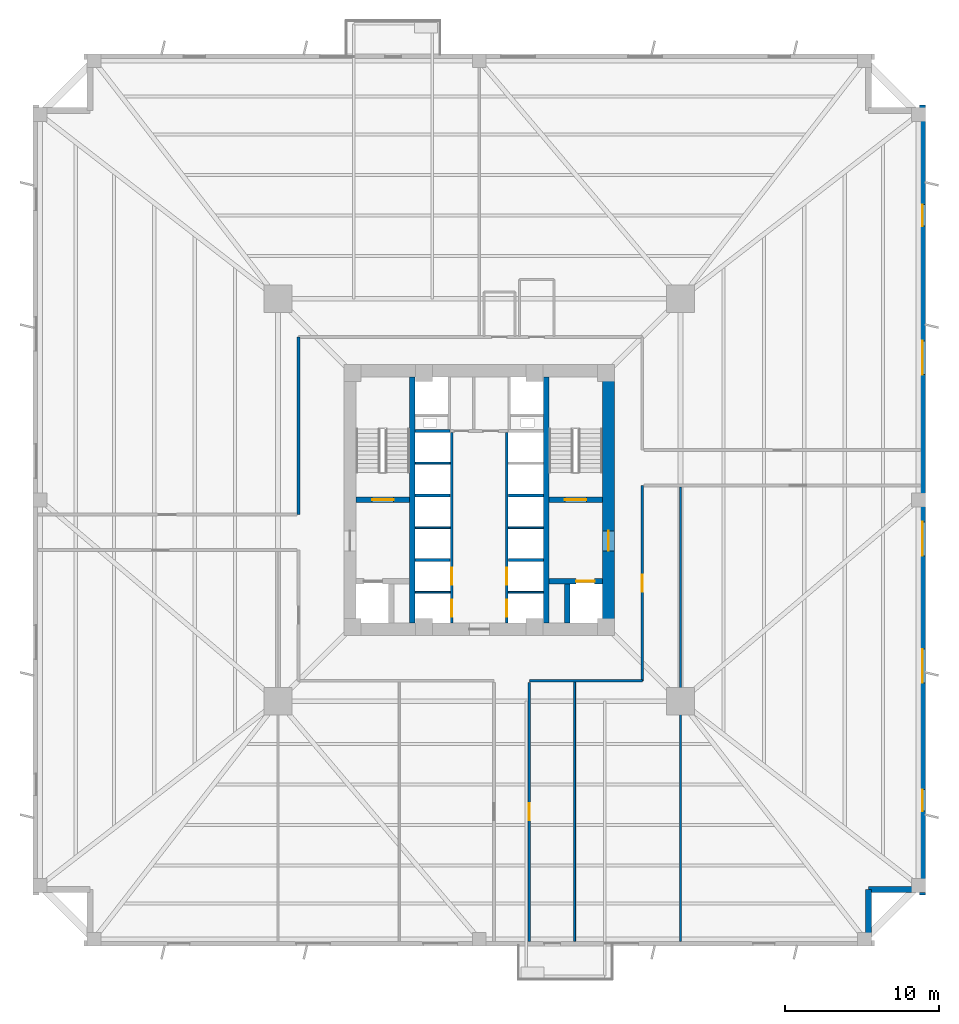
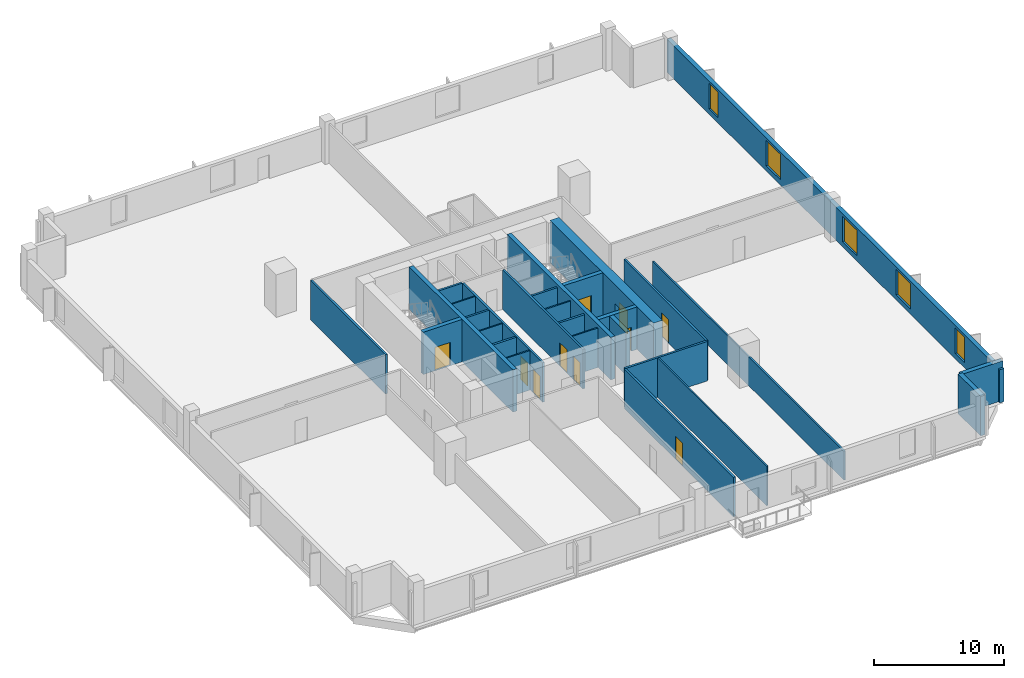
# One storey, part 3 of 8: 28 walls, 10 doors, 5 windows, 15 openings.
"""IFC4 building model written with IfcOpenShell, lengths in metres."""

from ifc_helpers import new_model, si_unit, direction, frame, frame_2d, origin, place, context, subcontext, project, spatial, rectangle, extrude, source, transform, mapped, material, layer, layer_set, type_object, element, fill, save


model = new_model("IFC4")

# Units and contexts
model_context = context("Model", 3, precision=1e-05, world=origin(), true_north=direction((0.0, 1.0)))
body_context = subcontext(model_context, "Body", "Model", "MODEL_VIEW")
ifc_project = project(units=[si_unit("LENGTHUNIT", "METRE"), si_unit("AREAUNIT", "SQUARE_METRE"), si_unit("VOLUMEUNIT", "CUBIC_METRE"), si_unit("PLANEANGLEUNIT", "RADIAN"), si_unit("MASSUNIT", "GRAM", prefix="KILO"), si_unit("THERMODYNAMICTEMPERATUREUNIT", "KELVIN")], contexts=[model_context])

# Site, building, storey
site_placement = place(None, origin())
site = spatial("IfcSite", under=ifc_project, at=site_placement, CompositionType="ELEMENT")
building_placement = place(site_placement, origin())
building = spatial("IfcBuilding", under=site, at=building_placement, Name="Kosmvard Interchange Tower", CompositionType="ELEMENT")
storey_placement = place(building_placement, frame((0.0, 0.0, 50.0)))
storey = spatial("IfcBuildingStorey", under=building, at=storey_placement, Name="L11", CompositionType="ELEMENT", Elevation=50.0)

# Wall
ifc_material_1 = material(Name="Acoustic gypsum partition system")
ifc_layer_1 = layer(ifc_material_1, 0.14990234375, Name="Acoustic gypsum partition system")
ifc_layer_set_1 = layer_set([ifc_layer_1], Name="Acoustic gypsum partition system")
wall_type_1 = type_object("IfcWallType", Name="Acoustic Suite & Meeting Partition 150", PredefinedType="PARTITIONING", material=ifc_layer_set_1)
wall_1_placement = place(storey_placement, frame((13.0810546875, -28.68505859375, 0.0), z_axis=(0.0, 0.0, 1.0), x_axis=(0.0, 1.0, 0.0)))
element("IfcWall", 1, at=wall_1_placement, inside=storey, type_object=wall_type_1, Name="L11 Room Partition 03.1", PredefinedType="PARTITIONING", context=body_context, shape_type="SweptSolid", body=[
    extrude(rectangle(XDim=29.5400390625, YDim=0.14990234375, at=frame_2d((14.77001953125, 0.0))), origin(), (0.0, 0.0, 1.0), 2.7119140625),
])

# Wall, openings, doors
ifc_material_2 = material(Name="Fire-rated gypsum partition system")
ifc_layer_2 = layer(ifc_material_2, 0.179931640625, Name="Fire-rated gypsum partition system")
ifc_layer_set_2 = layer_set([ifc_layer_2], Name="Fire-rated gypsum partition system")
wall_type_2 = type_object("IfcWallType", Name="Corridor & Hotel Compartment Partition 180", PredefinedType="PARTITIONING", material=ifc_layer_set_2)
wall_2_placement = place(storey_placement, frame((-1.7900390625, -7.97998046875, 0.0), z_axis=(0.0, 0.0, 1.0), x_axis=(0.0, 1.0, 0.0)))
wall_2 = element("IfcWall", 2, at=wall_2_placement, inside=storey, type_object=wall_type_2, Name="L11 West Lift Bank Front Wall", PredefinedType="PARTITIONING", context=body_context, shape_type="SweptSolid", body=[
    extrude(rectangle(XDim=12.3798828125, YDim=0.179931640625, at=frame_2d((6.18994140625, 0.0))), origin(), (0.0, 0.0, 1.0), 3.719970703125),
])
opening_1_placement = place(wall_2_placement, frame((0.39990234375, 0.0, 0.0)))
opening_1 = element("IfcOpeningElement", 3, at=opening_1_placement, cuts=wall_2, Name="Opening LD-PL-L1-L11", PredefinedType="OPENING", context=body_context, shape_type="SweptSolid", body=[
    extrude(rectangle(XDim=1.10009765625, YDim=2.199951171875, at=frame_2d((0.550048828125, 1.10009765625))), frame((0.0, 0.10009765625, 0.0), z_axis=(0.0, -1.0, 0.0), x_axis=(1.0, 0.0, 0.0)), (0.0, 0.0, 1.0), 0.199951171875),
])
opening_2_placement = place(wall_2_placement, frame((2.4599609375, 0.0, 0.0)))
opening_2 = element("IfcOpeningElement", 4, at=opening_2_placement, cuts=wall_2, Name="Opening LD-PL-L2-L11", PredefinedType="OPENING", context=body_context, shape_type="SweptSolid", body=[
    extrude(rectangle(XDim=1.10009765625, YDim=2.199951171875, at=frame_2d((0.550048828125, 1.10009765625))), frame((0.0, 0.10009765625, 0.0), z_axis=(0.0, -1.0, 0.0), x_axis=(1.0, 0.0, 0.0)), (0.0, 0.0, 1.0), 0.199951171875),
])
ifc_material_3 = material(Name="Brushed stainless steel sliding leaf", Category="steel")
door_type_1 = type_object("IfcDoorType", Name="Passenger Lift Sliding Landing Door 1100x2200 EI60", OperationType="DOUBLE_DOOR_SLIDING", PredefinedType="DOOR", material=ifc_material_3)
shared_shape_1 = source(origin(), body_context, "Body", "SweptSolid", [
    extrude(rectangle(XDim=1.10009765625, YDim=2.199951171875, at=frame_2d((0.550048828125, 1.10009765625))), frame((0.0, 0.02490234375, 0.0), z_axis=(0.0, -1.0, 0.0), x_axis=(1.0, 0.0, 0.0)), (0.0, 0.0, 1.0), 0.050048828125),
])
door_1_placement = place(opening_1_placement, frame((1.10009765625, 0.0, 0.0), z_axis=(0.0, 0.0, 1.0), x_axis=(-1.0, 0.0, 0.0)))
door_1 = element("IfcDoor", 5, at=door_1_placement, inside=storey, type_object=door_type_1, Name="Lift PL-L1 Landing Door L11", OperationType="DOUBLE_DOOR_SLIDING", OverallHeight=2.199951171875, OverallWidth=1.10009765625, PredefinedType="DOOR", context=body_context, shape_type="MappedRepresentation", body=[
    mapped(shared_shape_1, transform((0.0, 0.0, 0.0), scale=1.0)),
])
fill(opening_1, door_1)
door_2_placement = place(opening_2_placement, frame((1.10009765625, 0.0, 0.0), z_axis=(0.0, 0.0, 1.0), x_axis=(-1.0, 0.0, 0.0)))
door_2 = element("IfcDoor", 6, at=door_2_placement, inside=storey, type_object=door_type_1, Name="Lift PL-L2 Landing Door L11", OperationType="DOUBLE_DOOR_SLIDING", OverallHeight=2.199951171875, OverallWidth=1.10009765625, PredefinedType="DOOR", context=body_context, shape_type="MappedRepresentation", body=[
    mapped(shared_shape_1, transform((0.0, 0.0, 0.0), scale=1.0)),
])
fill(opening_2, door_2)

wall_3_placement = place(storey_placement, frame((1.7900390625, -7.97998046875, 0.0), z_axis=(0.0, 0.0, 1.0), x_axis=(0.0, 1.0, 0.0)))
wall_3 = element("IfcWall", 7, at=wall_3_placement, inside=storey, type_object=wall_type_2, Name="L11 East Lift Bank Front Wall", PredefinedType="PARTITIONING", context=body_context, shape_type="SweptSolid", body=[
    extrude(rectangle(XDim=12.3798828125, YDim=0.179931640625, at=frame_2d((6.18994140625, 0.0))), origin(), (0.0, 0.0, 1.0), 3.719970703125),
])
opening_3_placement = place(wall_3_placement, frame((0.39990234375, 0.0, 0.0)))
opening_3 = element("IfcOpeningElement", 8, at=opening_3_placement, cuts=wall_3, Name="Opening LD-PL-L3-L11", PredefinedType="OPENING", context=body_context, shape_type="SweptSolid", body=[
    extrude(rectangle(XDim=1.10009765625, YDim=2.199951171875, at=frame_2d((0.550048828125, 1.10009765625))), frame((0.0, 0.10009765625, 0.0), z_axis=(0.0, -1.0, 0.0), x_axis=(1.0, 0.0, 0.0)), (0.0, 0.0, 1.0), 0.199951171875),
])
opening_4_placement = place(wall_3_placement, frame((2.4599609375, 0.0, 0.0)))
opening_4 = element("IfcOpeningElement", 9, at=opening_4_placement, cuts=wall_3, Name="Opening LD-PL-L4-L11", PredefinedType="OPENING", context=body_context, shape_type="SweptSolid", body=[
    extrude(rectangle(XDim=1.10009765625, YDim=2.199951171875, at=frame_2d((0.550048828125, 1.10009765625))), frame((0.0, 0.10009765625, 0.0), z_axis=(0.0, -1.0, 0.0), x_axis=(1.0, 0.0, 0.0)), (0.0, 0.0, 1.0), 0.199951171875),
])
door_3_placement = place(opening_3_placement, origin())
door_3 = element("IfcDoor", 10, at=door_3_placement, inside=storey, type_object=door_type_1, Name="Lift PL-L3 Landing Door L11", OperationType="DOUBLE_DOOR_SLIDING", OverallHeight=2.199951171875, OverallWidth=1.10009765625, PredefinedType="DOOR", context=body_context, shape_type="MappedRepresentation", body=[
    mapped(shared_shape_1, transform((0.0, 0.0, 0.0), scale=1.0)),
])
fill(opening_3, door_3)
door_4_placement = place(opening_4_placement, origin())
door_4 = element("IfcDoor", 11, at=door_4_placement, inside=storey, type_object=door_type_1, Name="Lift PL-L4 Landing Door L11", OperationType="DOUBLE_DOOR_SLIDING", OverallHeight=2.199951171875, OverallWidth=1.10009765625, PredefinedType="DOOR", context=body_context, shape_type="MappedRepresentation", body=[
    mapped(shared_shape_1, transform((0.0, 0.0, 0.0), scale=1.0)),
])
fill(opening_4, door_4)

# Walls
wall_4_placement = place(storey_placement, frame((3.25, -11.75, 0.0), z_axis=(0.0, 0.0, 1.0), x_axis=(1.0, 0.0, 0.0)))
element("IfcWall", 12, at=wall_4_placement, inside=storey, type_object=wall_type_2, Name="L11 Corridor Wall CSE", PredefinedType="PARTITIONING", context=body_context, shape_type="SweptSolid", body=[
    extrude(rectangle(XDim=7.35009765625, YDim=0.179931640625, at=frame_2d((3.675048828125, 0.0))), origin(), (0.0, 0.0, 1.0), 3.719970703125),
])
wall_5_placement = place(storey_placement, frame((-11.75, -0.949951171875, 0.0), z_axis=(0.0, 0.0, 1.0), x_axis=(0.0, 1.0, 0.0)))
element("IfcWall", 13, at=wall_5_placement, inside=storey, type_object=wall_type_2, Name="L11 Corridor Wall CWN", PredefinedType="PARTITIONING", context=body_context, shape_type="SweptSolid", body=[
    extrude(rectangle(XDim=11.550048828125, YDim=0.179931640625, at=frame_2d((5.77490234375, 0.0))), origin(), (0.0, 0.0, 1.0), 3.719970703125),
])

# Wall, opening, door
wall_6_placement = place(storey_placement, frame((10.60009765625, -11.75, 0.0), z_axis=(0.0, 0.0, 1.0), x_axis=(0.0, 1.0, 0.0)))
wall_6 = element("IfcWall", 14, at=wall_6_placement, inside=storey, type_object=wall_type_2, Name="L11 Corridor Wall CES", PredefinedType="PARTITIONING", context=body_context, shape_type="SweptSolid", body=[
    extrude(rectangle(XDim=12.699951171875, YDim=0.179931640625, at=frame_2d((6.35009765625, 0.0))), origin(), (0.0, 0.0, 1.0), 3.719970703125),
])
opening_5_placement = place(wall_6_placement, frame((5.800048828125, 0.0, 0.0)))
opening_5 = element("IfcOpeningElement", 15, at=opening_5_placement, cuts=wall_6, Name="Opening L11-D06", PredefinedType="OPENING", context=body_context, shape_type="SweptSolid", body=[
    extrude(rectangle(XDim=1.10009765625, YDim=2.199951171875, at=frame_2d((0.550048828125, 1.10009765625))), frame((0.0, 0.10009765625, 0.0), z_axis=(0.0, -1.0, 0.0), x_axis=(1.0, 0.0, 0.0)), (0.0, 0.0, 1.0), 0.199951171875),
])
ifc_material_4 = material(Name="Engineered oak fire-rated timber", Category="wood")
door_type_2 = type_object("IfcDoorType", Name="Office Suite Entrance Door 1100x2200 FD30S", OperationType="NOTDEFINED", PredefinedType="DOOR", material=ifc_material_4)
door_5_placement = place(opening_5_placement, frame((1.10009765625, 0.0, 0.0), z_axis=(0.0, 0.0, 1.0), x_axis=(-1.0, 0.0, 0.0)))
door_5 = element("IfcDoor", 16, at=door_5_placement, inside=storey, type_object=door_type_2, Name="L11 Strategy Seminar Room 1 Door", OperationType="SINGLE_SWING_RIGHT", OverallHeight=2.199951171875, OverallWidth=1.10009765625, PredefinedType="DOOR", context=body_context, shape_type="MappedRepresentation", body=[
    mapped(shared_shape_1, transform((0.0, 0.0, 0.0), scale=1.0)),
])
fill(opening_5, door_5)

wall_7_placement = place(storey_placement, frame((3.25, -28.68505859375, 0.0), z_axis=(0.0, 0.0, 1.0), x_axis=(0.0, 1.0, 0.0)))
wall_7 = element("IfcWall", 17, at=wall_7_placement, inside=storey, type_object=wall_type_2, Name="L11 Corridor Wall SSE", PredefinedType="PARTITIONING", context=body_context, shape_type="SweptSolid", body=[
    extrude(rectangle(XDim=16.8349609375, YDim=0.179931640625, at=frame_2d((8.41748046875, 0.0))), origin(), (0.0, 0.0, 1.0), 3.719970703125),
])
opening_6_placement = place(wall_7_placement, frame((7.867431640625, 0.0, 0.0)))
opening_6 = element("IfcOpeningElement", 18, at=opening_6_placement, cuts=wall_7, Name="Opening L11-D05", PredefinedType="OPENING", context=body_context, shape_type="SweptSolid", body=[
    extrude(rectangle(XDim=1.10009765625, YDim=2.199951171875, at=frame_2d((0.550048828125, 1.10009765625))), frame((0.0, 0.10009765625, 0.0), z_axis=(0.0, -1.0, 0.0), x_axis=(1.0, 0.0, 0.0)), (0.0, 0.0, 1.0), 0.199951171875),
])
door_6_placement = place(opening_6_placement, frame((1.10009765625, 0.0, 0.0), z_axis=(0.0, 0.0, 1.0), x_axis=(-1.0, 0.0, 0.0)))
door_6 = element("IfcDoor", 19, at=door_6_placement, inside=storey, type_object=door_type_2, Name="L11 Client Reception Foyer Door", OperationType="SINGLE_SWING_LEFT", OverallHeight=2.199951171875, OverallWidth=1.10009765625, PredefinedType="DOOR", context=body_context, shape_type="MappedRepresentation", body=[
    mapped(shared_shape_1, transform((0.0, 0.0, 0.0), scale=1.0)),
])
fill(opening_6, door_6)

ifc_material_5 = material(Name="Concrete C80/95", Category="concrete")
ifc_layer_3 = layer(ifc_material_5, 0.800048828125, Name="Concrete C80/95")
ifc_layer_set_3 = layer_set([ifc_layer_3], Name="Concrete C80/95")
wall_type_3 = type_object("IfcWallType", Name="Lower Core Shear Wall 800 C80/95", PredefinedType="SHEAR", material=ifc_layer_set_3)
wall_8_placement = place(storey_placement, frame((8.39990234375, -8.0, 0.0), z_axis=(0.0, 0.0, 1.0), x_axis=(0.0, 1.0, 0.0)))
wall_8 = element("IfcWall", 20, at=wall_8_placement, inside=storey, type_object=wall_type_3, Name="L11 Core Shear Wall CW-E", PredefinedType="SHEAR", context=body_context, shape_type="SweptSolid", body=[
    extrude(rectangle(XDim=16.0, YDim=0.800048828125, at=frame_2d((8.0, 0.0))), origin(), (0.0, 0.0, 1.0), 4.0),
])
opening_7_placement = place(wall_8_placement, frame((4.68994140625, 0.0, 0.0)))
opening_7 = element("IfcOpeningElement", 21, at=opening_7_placement, cuts=wall_8, Name="Opening L11-FD2", PredefinedType="OPENING", context=body_context, shape_type="SweptSolid", body=[
    extrude(rectangle(XDim=1.300048828125, YDim=2.199951171875, at=frame_2d((0.64990234375, 1.10009765625))), frame((0.0, 0.41015625, 0.0), z_axis=(0.0, -1.0, 0.0), x_axis=(1.0, 0.0, 0.0)), (0.0, 0.0, 1.0), 0.820068359375),
])
ifc_material_6 = material(Name="Painted fire-rated steel leaf", Category="steel")
door_type_3 = type_object("IfcDoorType", Name="Firefighting Lobby Door 1300x2200 EI60", OperationType="NOTDEFINED", PredefinedType="DOOR", material=ifc_material_6)
shared_shape_2 = source(origin(), body_context, "Body", "SweptSolid", [
    extrude(rectangle(XDim=1.300048828125, YDim=2.199951171875, at=frame_2d((0.64990234375, 1.10009765625))), frame((0.0, 0.02490234375, 0.0), z_axis=(0.0, -1.0, 0.0), x_axis=(1.0, 0.0, 0.0)), (0.0, 0.0, 1.0), 0.050048828125),
])
door_7_placement = place(opening_7_placement, origin())
door_7 = element("IfcDoor", 22, at=door_7_placement, inside=storey, type_object=door_type_3, Name="L11 Firefighting Lobby East Door", OperationType="SINGLE_SWING_RIGHT", OverallHeight=2.199951171875, OverallWidth=1.300048828125, PredefinedType="DOOR", context=body_context, shape_type="MappedRepresentation", body=[
    mapped(shared_shape_2, transform((0.0, 0.0, 0.0), scale=1.0)),
])
fill(opening_7, door_7)

# Walls
ifc_material_7 = material(Name="Precast concrete C45/55", Category="concrete")
ifc_layer_4 = layer(ifc_material_7, 0.3798828125, Name="Precast concrete C45/55")
ifc_layer_set_4 = layer_set([ifc_layer_4], Name="Precast concrete C45/55")
wall_type_4 = type_object("IfcWallType", Name="Lower Tower Precast Pier Wall 380 C45/55", PredefinedType="STANDARD", material=ifc_layer_set_4)
wall_9_placement = place(storey_placement, frame((25.31005859375, -28.81005859375, 0.0), z_axis=(0.0, 0.0, 1.0), x_axis=(0.0, 1.0, 0.0)))
element("IfcWall", 23, at=wall_9_placement, inside=storey, type_object=wall_type_4, Name="L11 Precast Facade Wall N-SE1", PredefinedType="STANDARD", context=body_context, shape_type="SweptSolid", body=[
    extrude(rectangle(XDim=3.5, YDim=0.3798828125, at=frame_2d((1.75, 0.0))), origin(), (0.0, 0.0, 1.0), 3.719970703125),
])
wall_10_placement = place(storey_placement, frame((25.31005859375, -25.31005859375, 0.0), z_axis=(0.0, 0.0, 1.0), x_axis=(1.0, 0.0, 0.0)))
element("IfcWall", 24, at=wall_10_placement, inside=storey, type_object=wall_type_4, Name="L11 Precast Facade Wall N-SE2", PredefinedType="STANDARD", context=body_context, shape_type="SweptSolid", body=[
    extrude(rectangle(XDim=3.68994140625, YDim=0.3798828125, at=frame_2d((1.844970703125, 0.0))), origin(), (0.0, 0.0, 1.0), 3.719970703125),
])

# Wall, openings, windows
wall_11_placement = place(storey_placement, frame((28.81005859375, -25.68994140625, 0.0), z_axis=(0.0, 0.0, 1.0), x_axis=(0.0, 1.0, 0.0)))
wall_11 = element("IfcWall", 25, at=wall_11_placement, inside=storey, type_object=wall_type_4, Name="L11 Precast Facade Wall F-E", PredefinedType="STANDARD", context=body_context, shape_type="SweptSolid", body=[
    extrude(rectangle(XDim=51.3798828125, YDim=0.3798828125, at=frame_2d((25.68994140625, 0.0))), origin(), (0.0, 0.0, 1.0), 3.1201171875),
])
opening_8_placement = place(wall_11_placement, frame((5.465576171875, 0.0, 0.489990234375)))
opening_8 = element("IfcOpeningElement", 26, at=opening_8_placement, cuts=wall_11, Name="Opening L11-W06", PredefinedType="OPENING", context=body_context, shape_type="SweptSolid", body=[
    extrude(rectangle(XDim=1.39990234375, YDim=2.39990234375, at=frame_2d((0.699951171875, 1.199951171875))), frame((0.0, 0.199951171875, 0.0), z_axis=(0.0, -1.0, 0.0), x_axis=(1.0, 0.0, 0.0)), (0.0, 0.0, 1.0), 0.39990234375),
])
opening_9_placement = place(wall_11_placement, frame((13.80029296875, 0.0, 0.489990234375)))
opening_9 = element("IfcOpeningElement", 27, at=opening_9_placement, cuts=wall_11, Name="Opening L11-W07", PredefinedType="OPENING", context=body_context, shape_type="SweptSolid", body=[
    extrude(rectangle(XDim=2.199951171875, YDim=2.39990234375, at=frame_2d((1.10009765625, 1.199951171875))), frame((0.0, 0.199951171875, 0.0), z_axis=(0.0, -1.0, 0.0), x_axis=(1.0, 0.0, 0.0)), (0.0, 0.0, 1.0), 0.39990234375),
])
opening_10_placement = place(wall_11_placement, frame((22.0625, 0.0, 0.489990234375)))
opening_10 = element("IfcOpeningElement", 28, at=opening_10_placement, cuts=wall_11, Name="Opening L11-W08", PredefinedType="OPENING", context=body_context, shape_type="SweptSolid", body=[
    extrude(rectangle(XDim=2.199951171875, YDim=2.39990234375, at=frame_2d((1.10009765625, 1.199951171875))), frame((0.0, 0.199951171875, 0.0), z_axis=(0.0, -1.0, 0.0), x_axis=(1.0, 0.0, 0.0)), (0.0, 0.0, 1.0), 0.39990234375),
])
opening_11_placement = place(wall_11_placement, frame((33.83837890625, 0.0, 0.489990234375)))
opening_11 = element("IfcOpeningElement", 29, at=opening_11_placement, cuts=wall_11, Name="Opening L11-W09", PredefinedType="OPENING", context=body_context, shape_type="SweptSolid", body=[
    extrude(rectangle(XDim=2.199951171875, YDim=2.39990234375, at=frame_2d((1.10009765625, 1.199951171875))), frame((0.0, 0.199951171875, 0.0), z_axis=(0.0, -1.0, 0.0), x_axis=(1.0, 0.0, 0.0)), (0.0, 0.0, 1.0), 0.39990234375),
])
opening_12_placement = place(wall_11_placement, frame((43.48681640625, 0.0, 0.489990234375)))
opening_12 = element("IfcOpeningElement", 30, at=opening_12_placement, cuts=wall_11, Name="Opening L11-W10", PredefinedType="OPENING", context=body_context, shape_type="SweptSolid", body=[
    extrude(rectangle(XDim=1.39990234375, YDim=2.39990234375, at=frame_2d((0.699951171875, 1.199951171875))), frame((0.0, 0.199951171875, 0.0), z_axis=(0.0, -1.0, 0.0), x_axis=(1.0, 0.0, 0.0)), (0.0, 0.0, 1.0), 0.39990234375),
])
ifc_material_8 = material(Name="Low-E solar-control double glazing", Category="glass")
window_type_1 = type_object("IfcWindowType", Name="Notched Corner Feature Window 1400x2400", PartitioningType="SINGLE_PANEL", PredefinedType="WINDOW", material=ifc_material_8)
shared_shape_3 = source(origin(), body_context, "Body", "SweptSolid", [
    extrude(rectangle(XDim=1.39990234375, YDim=2.39990234375, at=frame_2d((0.699951171875, 1.199951171875))), frame((0.0, 0.030029296875, 0.0), z_axis=(0.0, -1.0, 0.0), x_axis=(1.0, 0.0, 0.0)), (0.0, 0.0, 1.0), 0.06005859375),
])
window_1_placement = place(opening_8_placement, origin())
window_1 = element("IfcWindow", 31, at=window_1_placement, inside=storey, type_object=window_type_1, Name="L11 Facade Punched Window 06", OverallHeight=2.39990234375, OverallWidth=1.39990234375, PartitioningType="SINGLE_PANEL", PredefinedType="WINDOW", context=body_context, shape_type="MappedRepresentation", body=[
    mapped(shared_shape_3, transform((0.0, 0.0, 0.0), scale=1.0)),
])
fill(opening_8, window_1)
window_2_placement = place(opening_12_placement, origin())
window_2 = element("IfcWindow", 32, at=window_2_placement, inside=storey, type_object=window_type_1, Name="L11 Facade Punched Window 10", OverallHeight=2.39990234375, OverallWidth=1.39990234375, PartitioningType="SINGLE_PANEL", PredefinedType="WINDOW", context=body_context, shape_type="MappedRepresentation", body=[
    mapped(shared_shape_3, transform((0.0, 0.0, 0.0), scale=1.0)),
])
fill(opening_12, window_2)
window_type_2 = type_object("IfcWindowType", Name="Zone 1 Office Punched Window 2200x2400", PartitioningType="SINGLE_PANEL", PredefinedType="WINDOW", material=ifc_material_8)
shared_shape_4 = source(origin(), body_context, "Body", "SweptSolid", [
    extrude(rectangle(XDim=2.199951171875, YDim=2.39990234375, at=frame_2d((1.10009765625, 1.199951171875))), frame((0.0, 0.030029296875, 0.0), z_axis=(0.0, -1.0, 0.0), x_axis=(1.0, 0.0, 0.0)), (0.0, 0.0, 1.0), 0.06005859375),
])
window_3_placement = place(opening_9_placement, origin())
window_3 = element("IfcWindow", 33, at=window_3_placement, inside=storey, type_object=window_type_2, Name="L11 Facade Punched Window 07", OverallHeight=2.39990234375, OverallWidth=2.199951171875, PartitioningType="SINGLE_PANEL", PredefinedType="WINDOW", context=body_context, shape_type="MappedRepresentation", body=[
    mapped(shared_shape_4, transform((0.0, 0.0, 0.0), scale=1.0)),
])
fill(opening_9, window_3)
window_4_placement = place(opening_10_placement, origin())
window_4 = element("IfcWindow", 34, at=window_4_placement, inside=storey, type_object=window_type_2, Name="L11 Facade Punched Window 08", OverallHeight=2.39990234375, OverallWidth=2.199951171875, PartitioningType="SINGLE_PANEL", PredefinedType="WINDOW", context=body_context, shape_type="MappedRepresentation", body=[
    mapped(shared_shape_4, transform((0.0, 0.0, 0.0), scale=1.0)),
])
fill(opening_10, window_4)
window_5_placement = place(opening_11_placement, origin())
window_5 = element("IfcWindow", 35, at=window_5_placement, inside=storey, type_object=window_type_2, Name="L11 Facade Punched Window 09", OverallHeight=2.39990234375, OverallWidth=2.199951171875, PartitioningType="SINGLE_PANEL", PredefinedType="WINDOW", context=body_context, shape_type="MappedRepresentation", body=[
    mapped(shared_shape_4, transform((0.0, 0.0, 0.0), scale=1.0)),
])
fill(opening_11, window_5)

# Walls
ifc_material_9 = material(Name="Gypsum board partition system")
ifc_layer_5 = layer(ifc_material_9, 0.1201171875, Name="Gypsum board partition system")
ifc_layer_set_5 = layer_set([ifc_layer_5], Name="Gypsum board partition system")
wall_type_5 = type_object("IfcWallType", Name="Office Cellular Partition 120", PredefinedType="PARTITIONING", material=ifc_layer_set_5)
wall_12_placement = place(storey_placement, frame((6.199951171875, -28.68505859375, 0.0), z_axis=(0.0, 0.0, 1.0), x_axis=(0.0, 1.0, 0.0)))
element("IfcWall", 36, at=wall_12_placement, inside=storey, type_object=wall_type_5, Name="L11 Room Partition 02.1", PredefinedType="PARTITIONING", context=body_context, shape_type="SweptSolid", body=[
    extrude(rectangle(XDim=16.840087890625, YDim=0.1201171875, at=frame_2d((8.419921875, 0.0))), origin(), (0.0, 0.0, 1.0), 3.719970703125),
])
ifc_material_10 = material(Name="Concrete blockwork masonry", Category="masonry")
ifc_layer_6 = layer(ifc_material_10, 0.179931640625, Name="Concrete blockwork masonry")
ifc_layer_set_6 = layer_set([ifc_layer_6], Name="Concrete blockwork masonry")
wall_type_6 = type_object("IfcWallType", Name="Riser & Lift Bank Divider Wall 180", PredefinedType="PARTITIONING", material=ifc_layer_set_6)
for number, where, z_axis, x_axis, name in (
    (37, (-4.169921875, -3.89990234375, 0.0), (0.0, 0.0, 1.0), (1.0, 0.0, 0.0), "L11 West Bank Divider BD1"),
    (38, (1.889892578125, -3.89990234375, 0.0), (0.0, 0.0, 1.0), (1.0, 0.0, 0.0), "L11 East Bank Divider BD1"),
    (39, (-4.169921875, 0.300048828125, 0.0), (0.0, 0.0, 1.0), (1.0, 0.0, 0.0), "L11 West Bank Divider BD2"),
    (40, (1.889892578125, 0.300048828125, 0.0), (0.0, 0.0, 1.0), (1.0, 0.0, 0.0), "L11 East Bank Divider BD2"),
    (41, (-4.169921875, 4.489990234375, 0.0), (0.0, 0.0, 1.0), (1.0, 0.0, 0.0), "L11 West Bank Divider BD3"),
):
    element("IfcWall", number, at=place(storey_placement, frame(where, z_axis=z_axis, x_axis=x_axis)), inside=storey, type_object=wall_type_6, Name=name, PredefinedType="PARTITIONING", context=body_context, shape_type="SweptSolid", body=[
        extrude(rectangle(XDim=2.280029296875, YDim=0.179931640625, at=frame_2d((1.14013671875, 0.0))), origin(), (0.0, 0.0, 1.0), 3.719970703125),
    ])
ifc_material_11 = material(Name="Fire-rated gypsum shaftwall system")
ifc_layer_7 = layer(ifc_material_11, 0.1201171875, Name="Fire-rated gypsum shaftwall system")
ifc_layer_set_7 = layer_set([ifc_layer_7], Name="Fire-rated gypsum shaftwall system")
wall_type_7 = type_object("IfcWallType", Name="Shaft & Riser Fire Partition 120 EI60", PredefinedType="PARTITIONING", material=ifc_layer_set_7)
for number, where, z_axis, x_axis, name in (
    (42, (-4.159912109375, -6.0, 0.0), (0.0, 0.0, 1.0), (1.0, 0.0, 0.0), "L11 Shaft Divider PL-L1"),
    (43, (1.89990234375, -6.0, 0.0), (0.0, 0.0, 1.0), (1.0, 0.0, 0.0), "L11 Shaft Divider PL-L3"),
    (44, (-4.159912109375, -1.800048828125, 0.0), (0.0, 0.0, 1.0), (1.0, 0.0, 0.0), "L11 Shaft Divider PL-M1"),
    (45, (1.89990234375, -1.800048828125, 0.0), (0.0, 0.0, 1.0), (1.0, 0.0, 0.0), "L11 Shaft Divider PL-M3"),
    (46, (-4.159912109375, 2.39990234375, 0.0), (0.0, 0.0, 1.0), (1.0, 0.0, 0.0), "L11 Shaft Divider PL-H1"),
):
    element("IfcWall", number, at=place(storey_placement, frame(where, z_axis=z_axis, x_axis=x_axis)), inside=storey, type_object=wall_type_7, Name=name, PredefinedType="PARTITIONING", context=body_context, shape_type="SweptSolid", body=[
        extrude(rectangle(XDim=2.260009765625, YDim=0.1201171875, at=frame_2d((1.1298828125, 0.0))), origin(), (0.0, 0.0, 1.0), 3.719970703125),
    ])
ifc_material_12 = material(Name="Concrete C60/75", Category="concrete")
ifc_layer_8 = layer(ifc_material_12, 0.360107421875, Name="Concrete C60/75")
ifc_layer_set_8 = layer_set([ifc_layer_8], Name="Concrete C60/75")
wall_type_8 = type_object("IfcWallType", Name="Stair & Lift Shaft Shear Wall 360 C60/75", PredefinedType="SHEAR", material=ifc_layer_set_8)
for number, where, z_axis, x_axis, name in (
    (47, (-4.360107421875, -8.0, 0.0), (0.0, 0.0, 1.0), (0.0, 1.0, 0.0), "L11 Shaft Shear Wall SW-W"),
    (48, (4.360107421875, -8.0, 0.0), (0.0, 0.0, 1.0), (0.0, 1.0, 0.0), "L11 Shaft Shear Wall SW-E"),
):
    element("IfcWall", number, at=place(storey_placement, frame(where, z_axis=z_axis, x_axis=x_axis)), inside=storey, type_object=wall_type_8, Name=name, PredefinedType="SHEAR", context=body_context, shape_type="SweptSolid", body=[
        extrude(rectangle(XDim=16.0, YDim=0.360107421875, at=frame_2d((8.0, 0.0))), origin(), (0.0, 0.0, 1.0), 4.0),
    ])

# Wall, opening, door
wall_13_placement = place(storey_placement, frame((-8.0, 0.02001953125, 0.0), z_axis=(0.0, 0.0, 1.0), x_axis=(1.0, 0.0, 0.0)))
wall_13 = element("IfcWall", 49, at=wall_13_placement, inside=storey, type_object=wall_type_8, Name="L11 Shaft Shear Wall SW-ST1", PredefinedType="SHEAR", context=body_context, shape_type="SweptSolid", body=[
    extrude(rectangle(XDim=3.4599609375, YDim=0.360107421875, at=frame_2d((1.72998046875, 0.0))), origin(), (0.0, 0.0, 1.0), 4.0),
])
opening_13_placement = place(wall_13_placement, frame((1.030029296875, 0.0, 0.0)))
opening_13 = element("IfcOpeningElement", 50, at=opening_13_placement, cuts=wall_13, Name="Opening L11-SD1", PredefinedType="OPENING", context=body_context, shape_type="SweptSolid", body=[
    extrude(rectangle(XDim=1.39990234375, YDim=2.199951171875, at=frame_2d((0.699951171875, 1.10009765625))), frame((0.0, 0.18994140625, 0.0), z_axis=(0.0, -1.0, 0.0), x_axis=(1.0, 0.0, 0.0)), (0.0, 0.0, 1.0), 0.380126953125),
])
door_type_4 = type_object("IfcDoorType", Name="Protected Stair Door 1400x2200 FD60S", OperationType="NOTDEFINED", PredefinedType="DOOR", material=ifc_material_6)
shared_shape_5 = source(origin(), body_context, "Body", "SweptSolid", [
    extrude(rectangle(XDim=1.39990234375, YDim=2.199951171875, at=frame_2d((0.699951171875, 1.10009765625))), frame((0.0, 0.02490234375, 0.0), z_axis=(0.0, -1.0, 0.0), x_axis=(1.0, 0.0, 0.0)), (0.0, 0.0, 1.0), 0.050048828125),
])
door_8_placement = place(opening_13_placement, origin())
door_8 = element("IfcDoor", 51, at=door_8_placement, inside=storey, type_object=door_type_4, Name="L11 Stair ST-1 Enclosure Door", OperationType="SINGLE_SWING_LEFT", OverallHeight=2.199951171875, OverallWidth=1.39990234375, PredefinedType="DOOR", context=body_context, shape_type="MappedRepresentation", body=[
    mapped(shared_shape_5, transform((0.0, 0.0, 0.0), scale=1.0)),
])
fill(opening_13, door_8)

wall_14_placement = place(storey_placement, frame((4.5400390625, 0.02001953125, 0.0), z_axis=(0.0, 0.0, 1.0), x_axis=(1.0, 0.0, 0.0)))
wall_14 = element("IfcWall", 52, at=wall_14_placement, inside=storey, type_object=wall_type_8, Name="L11 Shaft Shear Wall SW-ST2", PredefinedType="SHEAR", context=body_context, shape_type="SweptSolid", body=[
    extrude(rectangle(XDim=3.4599609375, YDim=0.360107421875, at=frame_2d((1.72998046875, 0.0))), origin(), (0.0, 0.0, 1.0), 4.0),
])
opening_14_placement = place(wall_14_placement, frame((1.030029296875, 0.0, 0.0)))
opening_14 = element("IfcOpeningElement", 53, at=opening_14_placement, cuts=wall_14, Name="Opening L11-SD2", PredefinedType="OPENING", context=body_context, shape_type="SweptSolid", body=[
    extrude(rectangle(XDim=1.39990234375, YDim=2.199951171875, at=frame_2d((0.699951171875, 1.10009765625))), frame((0.0, 0.18994140625, 0.0), z_axis=(0.0, -1.0, 0.0), x_axis=(1.0, 0.0, 0.0)), (0.0, 0.0, 1.0), 0.380126953125),
])
door_9_placement = place(opening_14_placement, origin())
door_9 = element("IfcDoor", 54, at=door_9_placement, inside=storey, type_object=door_type_4, Name="L11 Stair ST-2 Enclosure Door", OperationType="SINGLE_SWING_RIGHT", OverallHeight=2.199951171875, OverallWidth=1.39990234375, PredefinedType="DOOR", context=body_context, shape_type="MappedRepresentation", body=[
    mapped(shared_shape_5, transform((0.0, 0.0, 0.0), scale=1.0)),
])
fill(opening_14, door_9)

wall_15_placement = place(storey_placement, frame((4.5400390625, -5.280029296875, 0.0), z_axis=(0.0, 0.0, 1.0), x_axis=(1.0, 0.0, 0.0)))
wall_15 = element("IfcWall", 55, at=wall_15_placement, inside=storey, type_object=wall_type_8, Name="L11 Shaft Shear Wall SW-FF2", PredefinedType="SHEAR", context=body_context, shape_type="SweptSolid", body=[
    extrude(rectangle(XDim=3.4599609375, YDim=0.360107421875, at=frame_2d((1.72998046875, 0.0))), origin(), (0.0, 0.0, 1.0), 4.0),
])
opening_15_placement = place(wall_15_placement, frame((1.760009765625, 0.0, 0.0)))
opening_15 = element("IfcOpeningElement", 56, at=opening_15_placement, cuts=wall_15, Name="Opening LD-FF-2-L11", PredefinedType="OPENING", context=body_context, shape_type="SweptSolid", body=[
    extrude(rectangle(XDim=1.199951171875, YDim=2.25, at=frame_2d((0.60009765625, 1.125))), frame((0.0, 0.18994140625, 0.0), z_axis=(0.0, -1.0, 0.0), x_axis=(1.0, 0.0, 0.0)), (0.0, 0.0, 1.0), 0.380126953125),
])
door_type_5 = type_object("IfcDoorType", Name="Firefighting Lift Sliding Landing Door 1200x2250 EI120", OperationType="DOUBLE_DOOR_SLIDING", PredefinedType="DOOR", material=ifc_material_3)
shared_shape_6 = source(origin(), body_context, "Body", "SweptSolid", [
    extrude(rectangle(XDim=1.199951171875, YDim=2.25, at=frame_2d((0.60009765625, 1.125))), frame((0.0, 0.02490234375, 0.0), z_axis=(0.0, -1.0, 0.0), x_axis=(1.0, 0.0, 0.0)), (0.0, 0.0, 1.0), 0.050048828125),
])
door_10_placement = place(opening_15_placement, origin())
door_10 = element("IfcDoor", 57, at=door_10_placement, inside=storey, type_object=door_type_5, Name="Lift FF-2 Landing Door L11", OperationType="DOUBLE_DOOR_SLIDING", OverallHeight=2.25, OverallWidth=1.199951171875, PredefinedType="DOOR", context=body_context, shape_type="MappedRepresentation", body=[
    mapped(shared_shape_6, transform((0.0, 0.0, 0.0), scale=1.0)),
])
fill(opening_15, door_10)

# Wall
wall_16_placement = place(storey_placement, frame((5.7099609375, -8.0, 0.0), z_axis=(0.0, 0.0, 1.0), x_axis=(0.0, 1.0, 0.0)))
element("IfcWall", 58, at=wall_16_placement, inside=storey, type_object=wall_type_8, Name="L11 Shaft Shear Wall SW-SM2", PredefinedType="SHEAR", context=body_context, shape_type="SweptSolid", body=[
    extrude(rectangle(XDim=2.5400390625, YDim=0.360107421875, at=frame_2d((1.27001953125, 0.0))), origin(), (0.0, 0.0, 1.0), 4.0),
])

save(model, "model.ifc")
